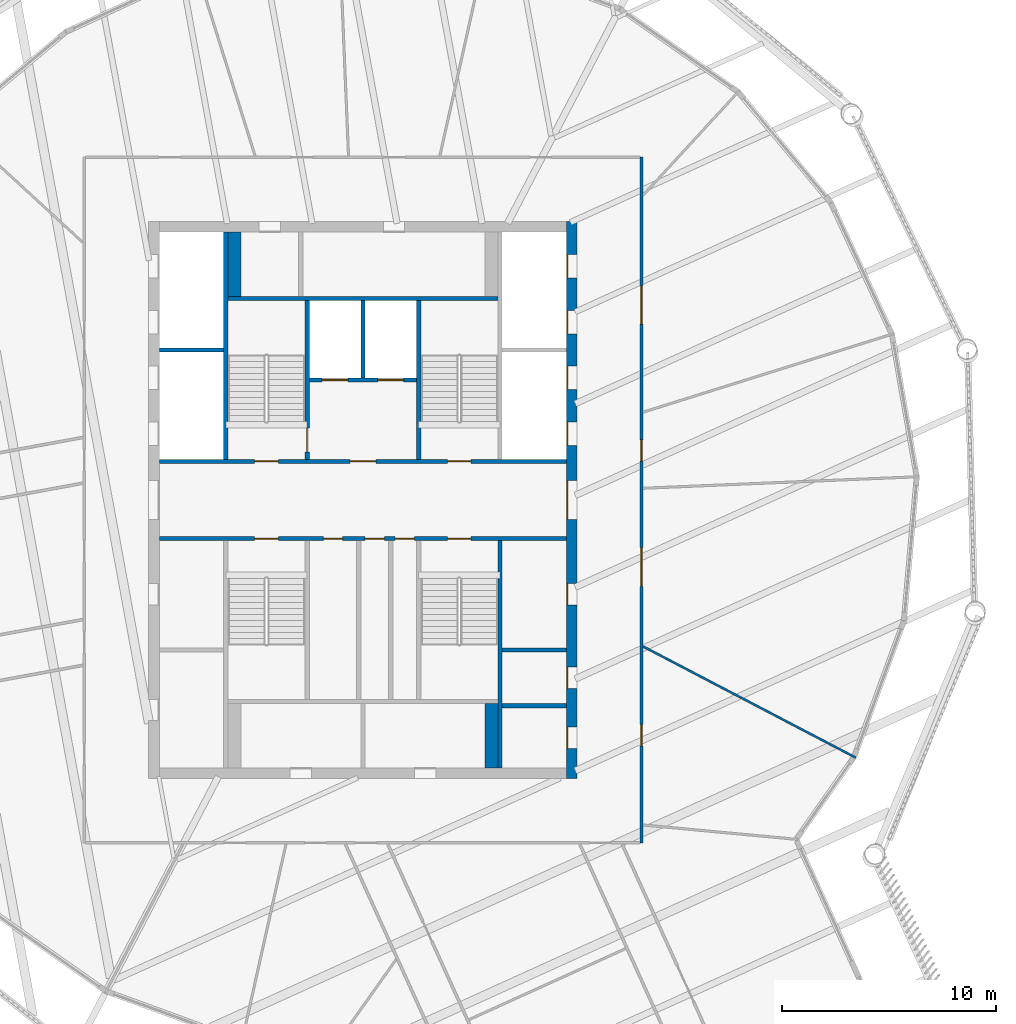
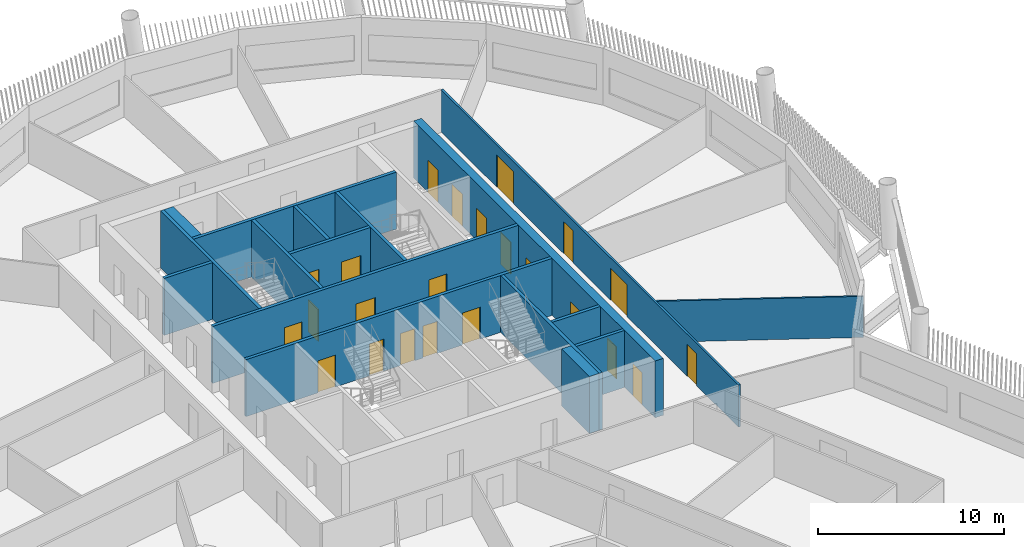
# One storey, part 5 of 15: 23 doors, 17 walls, 23 openings.
"""IFC4 building model written with IfcOpenShell, lengths in metres."""

import ifcopenshell
import ifcopenshell.guid

model = None  # the IFC model being written
_history = None  # IfcOwnerHistory: only IFC2X3 demands one
_inside = {}  # id of a spatial element -> (the spatial element, [elements in it])
_under = {}  # id of a project, library or spatial element -> (it, [spatial elements below it])
_declared = {}  # id of a project -> (the project, [libraries it declares])
_typed = {}  # id of a type object -> (the type object, [elements of that type])
_made_of = {}  # id of a material, layer set ... -> (it, [elements and type objects made of it])


def new_model(schema):
    """Start an empty IFC model of exactly this schema.

    Asked for "IFC4X3", IfcOpenShell would pick the latest addendum, in which some entities
    have other attributes; the version numbers below select the first issue.
    IFC2X3 requires an IfcOwnerHistory on every rooted entity: one is made here for all.
    """
    global model, _history
    if schema == "IFC4X3":
        model = ifcopenshell.file(schema_version=(4, 3, 0, 0))
    else:
        model = ifcopenshell.file(schema=schema)
    _inside.clear()
    _under.clear()
    _declared.clear()
    _typed.clear()
    _made_of.clear()
    _history = None
    if model.schema == "IFC2X3":
        org = make("IfcOrganization", Name="unknown")
        user = make(
            "IfcPersonAndOrganization",
            ThePerson=make("IfcPerson", FamilyName="unknown"),
            TheOrganization=org,
        )
        app = make(
            "IfcApplication",
            ApplicationDeveloper=org,
            Version="unknown",
            ApplicationFullName="unknown",
            ApplicationIdentifier="unknown",
        )
        _history = make(
            "IfcOwnerHistory",
            OwningUser=user,
            OwningApplication=app,
            ChangeAction="ADDED",
            CreationDate=0,
        )
    return model


def make(cls, **values):
    """One entity of the class cls with the attributes given. An attribute that is None is left unset."""
    return model.create_entity(
        cls, **{name: value for name, value in values.items() if value is not None}
    )


def rooted(cls, **values):
    """An entity with a GlobalId (a new one), such as an element, a storey or a relation."""
    return make(cls, GlobalId=ifcopenshell.guid.new(), OwnerHistory=_history, **values)


def si_unit(unit_type, name, prefix=None):
    """IfcSIUnit, for example si_unit("LENGTHUNIT", "METRE", prefix="MILLI")."""
    return make("IfcSIUnit", UnitType=unit_type, Prefix=prefix, Name=name)


def assignment(units):
    """IfcUnitAssignment: the units of a project."""
    return None if units is None else make("IfcUnitAssignment", Units=units)


def point(xyz):
    """IfcCartesianPoint."""
    return None if xyz is None else make("IfcCartesianPoint", Coordinates=xyz)


def direction(xyz):
    """IfcDirection."""
    return None if xyz is None else make("IfcDirection", DirectionRatios=xyz)


def frame(location, z_axis=None, x_axis=None):
    """IfcAxis2Placement3D, a coordinate frame: its origin and axes. An axis left out is left unset."""
    return make(
        "IfcAxis2Placement3D",
        Location=point(location),
        Axis=direction(z_axis),
        RefDirection=direction(x_axis),
    )


def frame_2d(location, x_axis=None):
    """IfcAxis2Placement2D, a coordinate frame in the plane: its origin and x axis."""
    return make(
        "IfcAxis2Placement2D", Location=point(location), RefDirection=direction(x_axis)
    )


def origin():
    """The frame at (0, 0, 0) with its axes left unset."""
    return frame((0.0, 0.0, 0.0))


def place(relative_to, where):
    """IfcLocalPlacement: puts the frame where relative to a parent placement (None: the world)."""
    return make(
        "IfcLocalPlacement", PlacementRelTo=relative_to, RelativePlacement=where
    )


def context(
    kind, dimensions, precision=None, world=None, true_north=None, identifier=None
):
    """IfcGeometricRepresentationContext, for example the 3D "Model" context."""
    return make(
        "IfcGeometricRepresentationContext",
        ContextIdentifier=identifier,
        ContextType=kind,
        CoordinateSpaceDimension=dimensions,
        Precision=precision,
        WorldCoordinateSystem=world,
        TrueNorth=true_north,
    )


def subcontext(parent, identifier, kind, view, scale=None):
    """IfcGeometricRepresentationSubContext, for example "Body" below "Model"."""
    return make(
        "IfcGeometricRepresentationSubContext",
        ContextIdentifier=identifier,
        ContextType=kind,
        ParentContext=parent,
        TargetScale=scale,
        TargetView=view,
    )


def project(units=None, contexts=None):
    """IfcProject with its units and contexts."""
    return rooted(
        "IfcProject",
        Name="project",
        RepresentationContexts=contexts,
        UnitsInContext=assignment(units),
    )


def spatial(cls, under=None, at=None, **own):
    """A site, building, storey or space (cls), placed at a placement, below another one or the project."""
    s = rooted(cls, ObjectPlacement=at, **own)
    if under is not None:
        _under.setdefault(under.id(), (under, []))[1].append(s)
    return s


def profile(cls, at=None, kind="AREA", **sizes):
    """A parametric profile (cls). Its sizes go by their IFC names, for example OverallWidth=200.0."""
    return make(cls, ProfileType=kind, Position=at, **sizes)


def rectangle(**sizes):
    """IfcRectangleProfileDef."""
    return profile("IfcRectangleProfileDef", **sizes)


def extrude(swept, where, along, depth):
    """IfcExtrudedAreaSolid: the profile swept, set in the frame where, extruded along a direction by depth."""
    return make(
        "IfcExtrudedAreaSolid",
        SweptArea=swept,
        Position=where,
        ExtrudedDirection=direction(along),
        Depth=depth,
    )


def shape(context_of_items, identifier, shape_type, items):
    """IfcShapeRepresentation: the items that make up one representation, for example the "Body"."""
    return make(
        "IfcShapeRepresentation",
        ContextOfItems=context_of_items,
        RepresentationIdentifier=identifier,
        RepresentationType=shape_type,
        Items=items,
    )


def material(Name=None, Category=None):
    """IfcMaterial."""
    return make("IfcMaterial", Name=Name, Category=Category)


def layer(
    of_material, thickness, ventilated=None, Name=None, Category=None, Priority=None
):
    """IfcMaterialLayer: one layer of a wall or slab, of a material (None: an air gap)."""
    return make(
        "IfcMaterialLayer",
        Material=of_material,
        LayerThickness=thickness,
        IsVentilated=ventilated,
        Name=Name,
        Category=Category,
        Priority=Priority,
    )


def layer_set(layers, Name=None):
    """IfcMaterialLayerSet."""
    return make("IfcMaterialLayerSet", MaterialLayers=layers, LayerSetName=Name)


def made_of(thing, what):
    """Note that an element or type object is made of a material, layer set ...; save() writes the relation."""
    if what is not None:
        _made_of.setdefault(what.id(), (what, []))[1].append(thing)
    return thing


def type_object(cls, material=None, **own):
    """A type object (cls), such as IfcWallType, which elements share."""
    return made_of(rooted(cls, **own), material)


def element(
    cls,
    number,
    at=None,
    inside=None,
    cuts=None,
    type_object=None,
    material=None,
    context=None,
    identifier="Body",
    shape_type=None,
    held_by="IfcProductDefinitionShape",
    body=None,
    shapes=None,
    **own,
):
    """One element of the class cls, such as IfcWall. Its Tag is "e" and its number.

    at: its placement. inside: the storey or other place that contains it. cuts: it is an
    opening in that element (IfcRelVoidsElement). A single representation is given by context,
    identifier, shape_type and body (its items); several are given by shapes. held_by: the class
    of the entity that holds the representations. save() writes the other relations.
    """
    e = rooted(cls, Tag="e%d" % number, ObjectPlacement=at, **own)
    if body is not None:
        shapes = [shape(context, identifier, shape_type, body)]
    if shapes is not None:
        e.Representation = make(held_by, Representations=shapes)
    if inside is not None:
        _inside.setdefault(inside.id(), (inside, []))[1].append(e)
    if cuts is not None:
        rooted(
            "IfcRelVoidsElement", RelatingBuildingElement=cuts, RelatedOpeningElement=e
        )
    if type_object is not None:
        _typed.setdefault(type_object.id(), (type_object, []))[1].append(e)
    return made_of(e, material)


def fill(opening, filler):
    """IfcRelFillsElement: the door or window that sits in an opening."""
    return rooted(
        "IfcRelFillsElement",
        RelatingOpeningElement=opening,
        RelatedBuildingElement=filler,
    )


def aggregate(whole, parts):
    """IfcRelAggregates: a whole, such as a stair, and the parts it consists of."""
    return rooted("IfcRelAggregates", RelatingObject=whole, RelatedObjects=parts)


def save(model, path):
    """Write the relations noted so far, then the file.

    IfcRelAggregates (storeys below a building ...), IfcRelContainedInSpatialStructure (elements
    in a storey), IfcRelDefinesByType, IfcRelAssociatesMaterial and IfcRelDeclares: one each for
    every whole, place, type object, material and project.
    """
    for whole, parts in _under.values():
        aggregate(whole, parts)
    for where, things in _inside.values():
        rooted(
            "IfcRelContainedInSpatialStructure",
            RelatedElements=things,
            RelatingStructure=where,
        )
    for kind, things in _typed.values():
        rooted("IfcRelDefinesByType", RelatedObjects=things, RelatingType=kind)
    for what, things in _made_of.values():
        rooted("IfcRelAssociatesMaterial", RelatedObjects=things, RelatingMaterial=what)
    for by, libraries in _declared.values():
        rooted("IfcRelDeclares", RelatingContext=by, RelatedDefinitions=libraries)
    model.write(path)


model = new_model("IFC4")

# Units and contexts
model_context = context("Model", 3, precision=1e-05, world=origin(), true_north=direction((0.0, 1.0)))
body_context = subcontext(model_context, "Body", "Model", "MODEL_VIEW")
ifc_project = project(units=[si_unit("LENGTHUNIT", "METRE"), si_unit("AREAUNIT", "SQUARE_METRE"), si_unit("VOLUMEUNIT", "CUBIC_METRE"), si_unit("PLANEANGLEUNIT", "RADIAN"), si_unit("MASSUNIT", "GRAM", prefix="KILO")], contexts=[model_context])

# Site, building, storey
site_placement = place(None, origin())
site = spatial("IfcSite", under=ifc_project, at=site_placement, CompositionType="ELEMENT")
building_placement = place(site_placement, origin())
building = spatial("IfcBuilding", under=site, at=building_placement, Name="Tarsis Ring Headquarters", CompositionType="ELEMENT")
storey_placement = place(building_placement, frame((0.0, 0.0, 327.5)))
storey = spatial("IfcBuildingStorey", under=building, at=storey_placement, Name="L77", CompositionType="ELEMENT", Elevation=327.5)

# Walls
ifc_material_1 = material(Name="Blockwork", Category="masonry")
ifc_layer_1 = layer(ifc_material_1, 0.199951171875)
ifc_layer_set_1 = layer_set([ifc_layer_1], Name="Core blockwork wall 200")
wall_type_1 = type_object("IfcWallType", Name="Core blockwork wall 200", PredefinedType="PARTITIONING", material=ifc_layer_set_1)
for number, where, z_axis, x_axis, name in (
    (1, (6.5, -9.60009765625, 0.0), (0.0, 0.0, 1.0), (1.0, 0.0, 0.0), "Core partition ED1"),
    (2, (6.5, -7.0, 0.0), (0.0, 0.0, 1.0), (1.0, 0.0, 0.0), "Core partition ED2"),
):
    element("IfcWall", number, at=place(storey_placement, frame(where, z_axis=z_axis, x_axis=x_axis)), inside=storey, type_object=wall_type_1, Name=name, PredefinedType="PARTITIONING", context=body_context, shape_type="SweptSolid", body=[
        extrude(rectangle(XDim=3.0, YDim=0.199951171875, at=frame_2d((1.5, 0.0))), origin(), (0.0, 0.0, 1.0), 3.739990234375),
    ])

# Wall, openings, doors
ifc_material_2 = material(Name="Concrete C50/60", Category="concrete")
ifc_layer_2 = layer(ifc_material_2, 0.5)
ifc_layer_set_2 = layer_set([ifc_layer_2], Name="Core wall 500 C50/60")
wall_type_2 = type_object("IfcWallType", Name="Core wall 500 C50/60", PredefinedType="SHEAR", material=ifc_layer_set_2)
wall_1_placement = place(storey_placement, frame((9.75, -13.0, 0.0), z_axis=(0.0, 0.0, 1.0), x_axis=(0.0, 1.0, 0.0)))
wall_1 = element("IfcWall", 3, at=wall_1_placement, inside=storey, type_object=wall_type_2, Name="Core wall OE", PredefinedType="SHEAR", context=body_context, shape_type="SweptSolid", body=[
    extrude(rectangle(XDim=26.0, YDim=0.5, at=frame_2d((13.0, 0.0))), origin(), (0.0, 0.0, 1.0), 3.739990234375),
])
opening_1_placement = place(wall_1_placement, frame((1.39990234375, 0.0, 0.0)))
opening_1 = element("IfcOpeningElement", 4, at=opening_1_placement, cuts=wall_1, Name="Opening L77-C08", PredefinedType="OPENING", context=body_context, shape_type="SweptSolid", body=[
    extrude(rectangle(XDim=1.0, YDim=2.10009765625, at=frame_2d((0.5, 1.050048828125))), frame((0.0, 0.260009765625, 0.0), z_axis=(0.0, -1.0, 0.0), x_axis=(1.0, 0.0, 0.0)), (0.0, 0.0, 1.0), 0.52001953125),
])
opening_2_placement = place(wall_1_placement, frame((4.199951171875, 0.0, 0.0)))
opening_2 = element("IfcOpeningElement", 5, at=opening_2_placement, cuts=wall_1, Name="Opening L77-C09", PredefinedType="OPENING", context=body_context, shape_type="SweptSolid", body=[
    extrude(rectangle(XDim=1.0, YDim=2.10009765625, at=frame_2d((0.5, 1.050048828125))), frame((0.0, 0.260009765625, 0.0), z_axis=(0.0, -1.0, 0.0), x_axis=(1.0, 0.0, 0.0)), (0.0, 0.0, 1.0), 0.52001953125),
])
opening_3_placement = place(wall_1_placement, frame((8.10009765625, 0.0, 0.0)))
opening_3 = element("IfcOpeningElement", 6, at=opening_3_placement, cuts=wall_1, Name="Opening L77-C10", PredefinedType="OPENING", context=body_context, shape_type="SweptSolid", body=[
    extrude(rectangle(XDim=1.0, YDim=2.10009765625, at=frame_2d((0.5, 1.050048828125))), frame((0.0, 0.260009765625, 0.0), z_axis=(0.0, -1.0, 0.0), x_axis=(1.0, 0.0, 0.0)), (0.0, 0.0, 1.0), 0.52001953125),
])
opening_4_placement = place(wall_1_placement, frame((12.10009765625, 0.0, 0.0)))
opening_4 = element("IfcOpeningElement", 7, at=opening_4_placement, cuts=wall_1, Name="Opening L77-C11", PredefinedType="OPENING", context=body_context, shape_type="SweptSolid", body=[
    extrude(rectangle(XDim=1.800048828125, YDim=2.10009765625, at=frame_2d((0.89990234375, 1.050048828125))), frame((0.0, 0.260009765625, 0.0), z_axis=(0.0, -1.0, 0.0), x_axis=(1.0, 0.0, 0.0)), (0.0, 0.0, 1.0), 0.52001953125),
])
opening_5_placement = place(wall_1_placement, frame((15.550048828125, 0.0, 0.0)))
opening_5 = element("IfcOpeningElement", 8, at=opening_5_placement, cuts=wall_1, Name="Opening LD-HR5", PredefinedType="OPENING", context=body_context, shape_type="SweptSolid", body=[
    extrude(rectangle(XDim=1.10009765625, YDim=2.10009765625, at=frame_2d((0.550048828125, 1.050048828125))), frame((0.0, 0.260009765625, 0.0), z_axis=(0.0, -1.0, 0.0), x_axis=(1.0, 0.0, 0.0)), (0.0, 0.0, 1.0), 0.52001953125),
])
opening_6_placement = place(wall_1_placement, frame((18.14990234375, 0.0, 0.0)))
opening_6 = element("IfcOpeningElement", 9, at=opening_6_placement, cuts=wall_1, Name="Opening LD-HR6", PredefinedType="OPENING", context=body_context, shape_type="SweptSolid", body=[
    extrude(rectangle(XDim=1.10009765625, YDim=2.10009765625, at=frame_2d((0.550048828125, 1.050048828125))), frame((0.0, 0.260009765625, 0.0), z_axis=(0.0, -1.0, 0.0), x_axis=(1.0, 0.0, 0.0)), (0.0, 0.0, 1.0), 0.52001953125),
])
opening_7_placement = place(wall_1_placement, frame((20.75, 0.0, 0.0)))
opening_7 = element("IfcOpeningElement", 10, at=opening_7_placement, cuts=wall_1, Name="Opening LD-HR7", PredefinedType="OPENING", context=body_context, shape_type="SweptSolid", body=[
    extrude(rectangle(XDim=1.10009765625, YDim=2.10009765625, at=frame_2d((0.550048828125, 1.050048828125))), frame((0.0, 0.260009765625, 0.0), z_axis=(0.0, -1.0, 0.0), x_axis=(1.0, 0.0, 0.0)), (0.0, 0.0, 1.0), 0.52001953125),
])
opening_8_placement = place(wall_1_placement, frame((23.35009765625, 0.0, 0.0)))
opening_8 = element("IfcOpeningElement", 11, at=opening_8_placement, cuts=wall_1, Name="Opening LD-HR8", PredefinedType="OPENING", context=body_context, shape_type="SweptSolid", body=[
    extrude(rectangle(XDim=1.10009765625, YDim=2.10009765625, at=frame_2d((0.550048828125, 1.050048828125))), frame((0.0, 0.260009765625, 0.0), z_axis=(0.0, -1.0, 0.0), x_axis=(1.0, 0.0, 0.0)), (0.0, 0.0, 1.0), 0.52001953125),
])
ifc_material_3 = material(Name="Steel S355", Category="steel")
door_type_1 = type_object("IfcDoorType", Name="Core entry door 1800x2100", OperationType="DOUBLE_DOOR_SINGLE_SWING", PredefinedType="DOOR", material=ifc_material_3)
door_1_placement = place(opening_4_placement, origin())
door_1 = element("IfcDoor", 12, at=door_1_placement, inside=storey, type_object=door_type_1, Name="Core entry door L77", OperationType="DOUBLE_DOOR_SINGLE_SWING", OverallHeight=2.10009765625, OverallWidth=1.800048828125, PredefinedType="DOOR", context=body_context, shape_type="SweptSolid", body=[
    extrude(rectangle(XDim=1.800048828125, YDim=2.10009765625, at=frame_2d((0.89990234375, 1.050048828125))), frame((0.0, 0.25, 0.0), z_axis=(0.0, -1.0, 0.0), x_axis=(1.0, 0.0, 0.0)), (0.0, 0.0, 1.0), 0.050048828125),
])
fill(opening_4, door_1)
door_type_2 = type_object("IfcDoorType", Name="Core room door 1000x2100", OperationType="SINGLE_SWING_LEFT", PredefinedType="DOOR", material=ifc_material_3)
door_2_placement = place(opening_1_placement, origin())
door_2 = element("IfcDoor", 13, at=door_2_placement, inside=storey, type_object=door_type_2, Name="Core room door L77", OperationType="SINGLE_SWING_LEFT", OverallHeight=2.10009765625, OverallWidth=1.0, PredefinedType="DOOR", context=body_context, shape_type="SweptSolid", body=[
    extrude(rectangle(XDim=1.0, YDim=2.10009765625, at=frame_2d((0.5, 1.050048828125))), frame((0.0, 0.25, 0.0), z_axis=(0.0, -1.0, 0.0), x_axis=(1.0, 0.0, 0.0)), (0.0, 0.0, 1.0), 0.050048828125),
])
fill(opening_1, door_2)
door_3_placement = place(opening_2_placement, origin())
door_3 = element("IfcDoor", 14, at=door_3_placement, inside=storey, type_object=door_type_2, Name="Core room door L77", OperationType="SINGLE_SWING_LEFT", OverallHeight=2.10009765625, OverallWidth=1.0, PredefinedType="DOOR", context=body_context, shape_type="SweptSolid", body=[
    extrude(rectangle(XDim=1.0, YDim=2.10009765625, at=frame_2d((0.5, 1.050048828125))), frame((0.0, 0.25, 0.0), z_axis=(0.0, -1.0, 0.0), x_axis=(1.0, 0.0, 0.0)), (0.0, 0.0, 1.0), 0.050048828125),
])
fill(opening_2, door_3)
door_4_placement = place(opening_3_placement, origin())
door_4 = element("IfcDoor", 15, at=door_4_placement, inside=storey, type_object=door_type_2, Name="Core room door L77", OperationType="SINGLE_SWING_LEFT", OverallHeight=2.10009765625, OverallWidth=1.0, PredefinedType="DOOR", context=body_context, shape_type="SweptSolid", body=[
    extrude(rectangle(XDim=1.0, YDim=2.10009765625, at=frame_2d((0.5, 1.050048828125))), frame((0.0, 0.25, 0.0), z_axis=(0.0, -1.0, 0.0), x_axis=(1.0, 0.0, 0.0)), (0.0, 0.0, 1.0), 0.050048828125),
])
fill(opening_3, door_4)
door_type_3 = type_object("IfcDoorType", Name="Landing door 1100x2100", OperationType="SLIDING_TO_LEFT", PredefinedType="DOOR", material=ifc_material_3)
door_5_placement = place(opening_5_placement, origin())
door_5 = element("IfcDoor", 16, at=door_5_placement, inside=storey, type_object=door_type_3, Name="Landing door HR5 L77", OperationType="SLIDING_TO_LEFT", OverallHeight=2.10009765625, OverallWidth=1.10009765625, PredefinedType="DOOR", context=body_context, shape_type="SweptSolid", body=[
    extrude(rectangle(XDim=1.10009765625, YDim=2.10009765625, at=frame_2d((0.550048828125, 1.050048828125))), frame((0.0, 0.25, 0.0), z_axis=(0.0, -1.0, 0.0), x_axis=(1.0, 0.0, 0.0)), (0.0, 0.0, 1.0), 0.050048828125),
])
fill(opening_5, door_5)
door_6_placement = place(opening_6_placement, origin())
door_6 = element("IfcDoor", 17, at=door_6_placement, inside=storey, type_object=door_type_3, Name="Landing door HR6 L77", OperationType="SLIDING_TO_LEFT", OverallHeight=2.10009765625, OverallWidth=1.10009765625, PredefinedType="DOOR", context=body_context, shape_type="SweptSolid", body=[
    extrude(rectangle(XDim=1.10009765625, YDim=2.10009765625, at=frame_2d((0.550048828125, 1.050048828125))), frame((0.0, 0.25, 0.0), z_axis=(0.0, -1.0, 0.0), x_axis=(1.0, 0.0, 0.0)), (0.0, 0.0, 1.0), 0.050048828125),
])
fill(opening_6, door_6)
door_7_placement = place(opening_7_placement, origin())
door_7 = element("IfcDoor", 18, at=door_7_placement, inside=storey, type_object=door_type_3, Name="Landing door HR7 L77", OperationType="SLIDING_TO_LEFT", OverallHeight=2.10009765625, OverallWidth=1.10009765625, PredefinedType="DOOR", context=body_context, shape_type="SweptSolid", body=[
    extrude(rectangle(XDim=1.10009765625, YDim=2.10009765625, at=frame_2d((0.550048828125, 1.050048828125))), frame((0.0, 0.25, 0.0), z_axis=(0.0, -1.0, 0.0), x_axis=(1.0, 0.0, 0.0)), (0.0, 0.0, 1.0), 0.050048828125),
])
fill(opening_7, door_7)
door_8_placement = place(opening_8_placement, origin())
door_8 = element("IfcDoor", 19, at=door_8_placement, inside=storey, type_object=door_type_3, Name="Landing door HR8 L77", OperationType="SLIDING_TO_LEFT", OverallHeight=2.10009765625, OverallWidth=1.10009765625, PredefinedType="DOOR", context=body_context, shape_type="SweptSolid", body=[
    extrude(rectangle(XDim=1.10009765625, YDim=2.10009765625, at=frame_2d((0.550048828125, 1.050048828125))), frame((0.0, 0.25, 0.0), z_axis=(0.0, -1.0, 0.0), x_axis=(1.0, 0.0, 0.0)), (0.0, 0.0, 1.0), 0.050048828125),
])
fill(opening_8, door_8)

# Wall
ifc_material_4 = material(Name="Gypsum board on steel studs", Category="steel")
ifc_layer_3 = layer(ifc_material_4, 0.10009765625)
ifc_layer_set_3 = layer_set([ifc_layer_3], Name="FL partition 100 unrated")
wall_type_3 = type_object("IfcWallType", Name="FL partition 100 unrated", PredefinedType="PARTITIONING", material=ifc_layer_set_3)
wall_2_placement = place(storey_placement, frame((13.079833984375, -6.837890625, 0.0), z_axis=(0.0, 0.0, 1.0), x_axis=(0.886203250473, -0.463296663976, 0.0)))
element("IfcWall", 20, at=wall_2_placement, inside=storey, type_object=wall_type_3, Name="Partition PW3", PredefinedType="PARTITIONING", context=body_context, shape_type="SweptSolid", body=[
    extrude(rectangle(XDim=11.1884765625, YDim=0.10009765625, at=frame_2d((5.59423828125, 0.0))), origin(), (0.0, 0.0, 1.0), 2.699951171875),
])

# Wall, openings, doors
ifc_layer_4 = layer(ifc_material_4, 0.125)
ifc_layer_set_4 = layer_set([ifc_layer_4], Name="FL partition 125 EI 60 H2770")
wall_type_4 = type_object("IfcWallType", Name="FL partition 125 EI 60 H2770", PredefinedType="PARTITIONING", material=ifc_layer_set_4)
wall_3_placement = place(storey_placement, frame((13.0, -16.0, 0.0), z_axis=(0.0, 0.0, 1.0), x_axis=(0.0, 1.0, 0.0)))
wall_3 = element("IfcWall", 21, at=wall_3_placement, inside=storey, type_object=wall_type_4, Name="Partition PW1", PredefinedType="PARTITIONING", context=body_context, shape_type="SweptSolid", body=[
    extrude(rectangle(XDim=32.0, YDim=0.125, at=frame_2d((16.0, 0.0))), origin(), (0.0, 0.0, 1.0), 2.77001953125),
])
opening_9_placement = place(wall_3_placement, frame((24.205810546875, 0.0, 0.0)))
opening_9 = element("IfcOpeningElement", 22, at=opening_9_placement, cuts=wall_3, Name="Opening D77.08", PredefinedType="OPENING", context=body_context, shape_type="SweptSolid", body=[
    extrude(rectangle(XDim=1.800048828125, YDim=2.10009765625, at=frame_2d((0.89990234375, 1.050048828125))), frame((0.0, 0.072509765625, 0.0), z_axis=(0.0, -1.0, 0.0), x_axis=(1.0, 0.0, 0.0)), (0.0, 0.0, 1.0), 0.14501953125),
])
opening_10_placement = place(wall_3_placement, frame((17.809326171875, 0.0, 0.0)))
opening_10 = element("IfcOpeningElement", 23, at=opening_10_placement, cuts=wall_3, Name="Opening D77.09", PredefinedType="OPENING", context=body_context, shape_type="SweptSolid", body=[
    extrude(rectangle(XDim=1.0, YDim=2.10009765625, at=frame_2d((0.5, 1.050048828125))), frame((0.0, 0.072509765625, 0.0), z_axis=(0.0, -1.0, 0.0), x_axis=(1.0, 0.0, 0.0)), (0.0, 0.0, 1.0), 0.14501953125),
])
opening_11_placement = place(wall_3_placement, frame((11.974365234375, 0.0, 0.0)))
opening_11 = element("IfcOpeningElement", 24, at=opening_11_placement, cuts=wall_3, Name="Opening D77.10", PredefinedType="OPENING", context=body_context, shape_type="SweptSolid", body=[
    extrude(rectangle(XDim=1.800048828125, YDim=2.10009765625, at=frame_2d((0.89990234375, 1.050048828125))), frame((0.0, 0.072509765625, 0.0), z_axis=(0.0, -1.0, 0.0), x_axis=(1.0, 0.0, 0.0)), (0.0, 0.0, 1.0), 0.14501953125),
])
opening_12_placement = place(wall_3_placement, frame((4.521484375, 0.0, 0.0)))
opening_12 = element("IfcOpeningElement", 25, at=opening_12_placement, cuts=wall_3, Name="Opening D77.11", PredefinedType="OPENING", context=body_context, shape_type="SweptSolid", body=[
    extrude(rectangle(XDim=1.0, YDim=2.10009765625, at=frame_2d((0.5, 1.050048828125))), frame((0.0, 0.072509765625, 0.0), z_axis=(0.0, -1.0, 0.0), x_axis=(1.0, 0.0, 0.0)), (0.0, 0.0, 1.0), 0.14501953125),
])
ifc_material_5 = material(Name="Fire-rated timber door leaf in steel frame", Category="steel")
door_type_4 = type_object("IfcDoorType", Name="FL door FD60-1000", OperationType="NOTDEFINED", PredefinedType="DOOR", material=ifc_material_5)
door_9_placement = place(opening_10_placement, origin())
door_9 = element("IfcDoor", 26, at=door_9_placement, inside=storey, type_object=door_type_4, Name="Door D77.09", OperationType="SINGLE_SWING_RIGHT", OverallHeight=2.10009765625, OverallWidth=1.0, PredefinedType="DOOR", context=body_context, shape_type="SweptSolid", body=[
    extrude(rectangle(XDim=1.0, YDim=2.10009765625, at=frame_2d((0.5, 1.050048828125))), frame((0.0, 0.02490234375, 0.0), z_axis=(0.0, -1.0, 0.0), x_axis=(1.0, 0.0, 0.0)), (0.0, 0.0, 1.0), 0.050048828125),
])
fill(opening_10, door_9)
door_10_placement = place(opening_12_placement, origin())
door_10 = element("IfcDoor", 27, at=door_10_placement, inside=storey, type_object=door_type_4, Name="Door D77.11", OperationType="SINGLE_SWING_RIGHT", OverallHeight=2.10009765625, OverallWidth=1.0, PredefinedType="DOOR", context=body_context, shape_type="SweptSolid", body=[
    extrude(rectangle(XDim=1.0, YDim=2.10009765625, at=frame_2d((0.5, 1.050048828125))), frame((0.0, 0.02490234375, 0.0), z_axis=(0.0, -1.0, 0.0), x_axis=(1.0, 0.0, 0.0)), (0.0, 0.0, 1.0), 0.050048828125),
])
fill(opening_12, door_10)
door_type_5 = type_object("IfcDoorType", Name="FL door FD60-1800", OperationType="DOUBLE_DOOR_SINGLE_SWING", PredefinedType="DOOR", material=ifc_material_5)
door_11_placement = place(opening_9_placement, origin())
door_11 = element("IfcDoor", 28, at=door_11_placement, inside=storey, type_object=door_type_5, Name="Door D77.08", OperationType="DOUBLE_DOOR_SINGLE_SWING", OverallHeight=2.10009765625, OverallWidth=1.800048828125, PredefinedType="DOOR", context=body_context, shape_type="SweptSolid", body=[
    extrude(rectangle(XDim=1.800048828125, YDim=2.10009765625, at=frame_2d((0.89990234375, 1.050048828125))), frame((0.0, 0.02490234375, 0.0), z_axis=(0.0, -1.0, 0.0), x_axis=(1.0, 0.0, 0.0)), (0.0, 0.0, 1.0), 0.050048828125),
])
fill(opening_9, door_11)
door_12_placement = place(opening_11_placement, origin())
door_12 = element("IfcDoor", 29, at=door_12_placement, inside=storey, type_object=door_type_5, Name="Door D77.10", OperationType="DOUBLE_DOOR_SINGLE_SWING", OverallHeight=2.10009765625, OverallWidth=1.800048828125, PredefinedType="DOOR", context=body_context, shape_type="SweptSolid", body=[
    extrude(rectangle(XDim=1.800048828125, YDim=2.10009765625, at=frame_2d((0.89990234375, 1.050048828125))), frame((0.0, 0.02490234375, 0.0), z_axis=(0.0, -1.0, 0.0), x_axis=(1.0, 0.0, 0.0)), (0.0, 0.0, 1.0), 0.050048828125),
])
fill(opening_11, door_12)

# Walls
ifc_material_6 = material(Name="Concrete C32/40", Category="concrete")
ifc_layer_5 = layer(ifc_material_6, 0.60009765625)
ifc_layer_set_5 = layer_set([ifc_layer_5], Name="Shaft end wall 600 C32/40")
wall_type_5 = type_object("IfcWallType", Name="Shaft end wall 600 C32/40", PredefinedType="SOLIDWALL", material=ifc_layer_set_5)
for number, where, z_axis, x_axis, name in (
    (30, (-6.0, 9.5, 0.0), (0.0, 0.0, 1.0), (0.0, 1.0, 0.0), "Core shaft wall NNE1"),
    (31, (6.0, -12.5, 0.0), (0.0, 0.0, 1.0), (0.0, 1.0, 0.0), "Core shaft wall SNE2"),
):
    element("IfcWall", number, at=place(storey_placement, frame(where, z_axis=z_axis, x_axis=x_axis)), inside=storey, type_object=wall_type_5, Name=name, PredefinedType="SOLIDWALL", context=body_context, shape_type="SweptSolid", body=[
        extrude(rectangle(XDim=3.0, YDim=0.60009765625, at=frame_2d((1.5, 0.0))), origin(), (0.0, 0.0, 1.0), 3.739990234375),
    ])

# Wall, openings, doors
ifc_layer_6 = layer(ifc_material_6, 0.199951171875)
ifc_layer_set_6 = layer_set([ifc_layer_6], Name="Shaft wall 200 C32/40")
wall_type_6 = type_object("IfcWallType", Name="Shaft wall 200 C32/40", PredefinedType="SOLIDWALL", material=ifc_layer_set_6)
wall_4_placement = place(storey_placement, frame((-9.5, 1.800048828125, 0.0), z_axis=(0.0, 0.0, 1.0), x_axis=(1.0, 0.0, 0.0)))
wall_4 = element("IfcWall", 32, at=wall_4_placement, inside=storey, type_object=wall_type_6, Name="Core shaft wall CN", PredefinedType="SOLIDWALL", context=body_context, shape_type="SweptSolid", body=[
    extrude(rectangle(XDim=19.0, YDim=0.199951171875, at=frame_2d((9.5, 0.0))), origin(), (0.0, 0.0, 1.0), 3.739990234375),
])
opening_13_placement = place(wall_4_placement, frame((4.449951171875, 0.0, 0.0)))
opening_13 = element("IfcOpeningElement", 33, at=opening_13_placement, cuts=wall_4, Name="Opening L77-C20", PredefinedType="OPENING", context=body_context, shape_type="SweptSolid", body=[
    extrude(rectangle(XDim=1.10009765625, YDim=2.10009765625, at=frame_2d((0.550048828125, 1.050048828125))), frame((0.0, 0.10986328125, 0.0), z_axis=(0.0, -1.0, 0.0), x_axis=(1.0, 0.0, 0.0)), (0.0, 0.0, 1.0), 0.219970703125),
])
opening_14_placement = place(wall_4_placement, frame((8.89990234375, 0.0, 0.0)))
opening_14 = element("IfcOpeningElement", 34, at=opening_14_placement, cuts=wall_4, Name="Opening L77-C21", PredefinedType="OPENING", context=body_context, shape_type="SweptSolid", body=[
    extrude(rectangle(XDim=1.199951171875, YDim=2.10009765625, at=frame_2d((0.60009765625, 1.050048828125))), frame((0.0, 0.10986328125, 0.0), z_axis=(0.0, -1.0, 0.0), x_axis=(1.0, 0.0, 0.0)), (0.0, 0.0, 1.0), 0.219970703125),
])
opening_15_placement = place(wall_4_placement, frame((13.449951171875, 0.0, 0.0)))
opening_15 = element("IfcOpeningElement", 35, at=opening_15_placement, cuts=wall_4, Name="Opening L77-C22", PredefinedType="OPENING", context=body_context, shape_type="SweptSolid", body=[
    extrude(rectangle(XDim=1.10009765625, YDim=2.10009765625, at=frame_2d((0.550048828125, 1.050048828125))), frame((0.0, 0.10986328125, 0.0), z_axis=(0.0, -1.0, 0.0), x_axis=(1.0, 0.0, 0.0)), (0.0, 0.0, 1.0), 0.219970703125),
])
door_type_6 = type_object("IfcDoorType", Name="Firefighting lobby door 1200x2100", OperationType="DOUBLE_DOOR_SINGLE_SWING", PredefinedType="DOOR", material=ifc_material_3)
door_13_placement = place(opening_14_placement, origin())
door_13 = element("IfcDoor", 36, at=door_13_placement, inside=storey, type_object=door_type_6, Name="Firefighting lobby door L77", OperationType="DOUBLE_DOOR_SINGLE_SWING", OverallHeight=2.10009765625, OverallWidth=1.199951171875, PredefinedType="DOOR", context=body_context, shape_type="SweptSolid", body=[
    extrude(rectangle(XDim=1.199951171875, YDim=2.10009765625, at=frame_2d((0.60009765625, 1.050048828125))), frame((0.0, 0.02490234375, 0.0), z_axis=(0.0, -1.0, 0.0), x_axis=(1.0, 0.0, 0.0)), (0.0, 0.0, 1.0), 0.050048828125),
])
fill(opening_14, door_13)
door_type_7 = type_object("IfcDoorType", Name="Stair door 1100x2100", OperationType="SINGLE_SWING_LEFT", PredefinedType="DOOR", material=ifc_material_3)
door_14_placement = place(opening_13_placement, origin())
door_14 = element("IfcDoor", 37, at=door_14_placement, inside=storey, type_object=door_type_7, Name="Stair door L77", OperationType="SINGLE_SWING_LEFT", OverallHeight=2.10009765625, OverallWidth=1.10009765625, PredefinedType="DOOR", context=body_context, shape_type="SweptSolid", body=[
    extrude(rectangle(XDim=1.10009765625, YDim=2.10009765625, at=frame_2d((0.550048828125, 1.050048828125))), frame((0.0, 0.02490234375, 0.0), z_axis=(0.0, -1.0, 0.0), x_axis=(1.0, 0.0, 0.0)), (0.0, 0.0, 1.0), 0.050048828125),
])
fill(opening_13, door_14)
door_15_placement = place(opening_15_placement, origin())
door_15 = element("IfcDoor", 38, at=door_15_placement, inside=storey, type_object=door_type_7, Name="Stair door L77", OperationType="SINGLE_SWING_LEFT", OverallHeight=2.10009765625, OverallWidth=1.10009765625, PredefinedType="DOOR", context=body_context, shape_type="SweptSolid", body=[
    extrude(rectangle(XDim=1.10009765625, YDim=2.10009765625, at=frame_2d((0.550048828125, 1.050048828125))), frame((0.0, 0.02490234375, 0.0), z_axis=(0.0, -1.0, 0.0), x_axis=(1.0, 0.0, 0.0)), (0.0, 0.0, 1.0), 0.050048828125),
])
fill(opening_15, door_15)

wall_5_placement = place(storey_placement, frame((-9.5, -1.800048828125, 0.0), z_axis=(0.0, 0.0, 1.0), x_axis=(1.0, 0.0, 0.0)))
wall_5 = element("IfcWall", 39, at=wall_5_placement, inside=storey, type_object=wall_type_6, Name="Core shaft wall CS", PredefinedType="SOLIDWALL", context=body_context, shape_type="SweptSolid", body=[
    extrude(rectangle(XDim=19.0, YDim=0.199951171875, at=frame_2d((9.5, 0.0))), origin(), (0.0, 0.0, 1.0), 3.739990234375),
])
opening_16_placement = place(wall_5_placement, frame((4.449951171875, 0.0, 0.0)))
opening_16 = element("IfcOpeningElement", 40, at=opening_16_placement, cuts=wall_5, Name="Opening L77-C23", PredefinedType="OPENING", context=body_context, shape_type="SweptSolid", body=[
    extrude(rectangle(XDim=1.10009765625, YDim=2.10009765625, at=frame_2d((0.550048828125, 1.050048828125))), frame((0.0, 0.10986328125, 0.0), z_axis=(0.0, -1.0, 0.0), x_axis=(1.0, 0.0, 0.0)), (0.0, 0.0, 1.0), 0.219970703125),
])
opening_17_placement = place(wall_5_placement, frame((7.64990234375, 0.0, 0.0)))
opening_17 = element("IfcOpeningElement", 41, at=opening_17_placement, cuts=wall_5, Name="Opening L77-C24", PredefinedType="OPENING", context=body_context, shape_type="SweptSolid", body=[
    extrude(rectangle(XDim=0.89990234375, YDim=2.10009765625, at=frame_2d((0.449951171875, 1.050048828125))), frame((0.0, 0.10986328125, 0.0), z_axis=(0.0, -1.0, 0.0), x_axis=(1.0, 0.0, 0.0)), (0.0, 0.0, 1.0), 0.219970703125),
])
opening_18_placement = place(wall_5_placement, frame((9.60009765625, 0.0, 0.0)))
opening_18 = element("IfcOpeningElement", 42, at=opening_18_placement, cuts=wall_5, Name="Opening L77-C25", PredefinedType="OPENING", context=body_context, shape_type="SweptSolid", body=[
    extrude(rectangle(XDim=0.89990234375, YDim=2.10009765625, at=frame_2d((0.449951171875, 1.050048828125))), frame((0.0, 0.10986328125, 0.0), z_axis=(0.0, -1.0, 0.0), x_axis=(1.0, 0.0, 0.0)), (0.0, 0.0, 1.0), 0.219970703125),
])
opening_19_placement = place(wall_5_placement, frame((11.0, 0.0, 0.0)))
opening_19 = element("IfcOpeningElement", 43, at=opening_19_placement, cuts=wall_5, Name="Opening L77-C26", PredefinedType="OPENING", context=body_context, shape_type="SweptSolid", body=[
    extrude(rectangle(XDim=0.89990234375, YDim=2.10009765625, at=frame_2d((0.449951171875, 1.050048828125))), frame((0.0, 0.10986328125, 0.0), z_axis=(0.0, -1.0, 0.0), x_axis=(1.0, 0.0, 0.0)), (0.0, 0.0, 1.0), 0.219970703125),
])
opening_20_placement = place(wall_5_placement, frame((13.449951171875, 0.0, 0.0)))
opening_20 = element("IfcOpeningElement", 44, at=opening_20_placement, cuts=wall_5, Name="Opening L77-C27", PredefinedType="OPENING", context=body_context, shape_type="SweptSolid", body=[
    extrude(rectangle(XDim=1.10009765625, YDim=2.10009765625, at=frame_2d((0.550048828125, 1.050048828125))), frame((0.0, 0.10986328125, 0.0), z_axis=(0.0, -1.0, 0.0), x_axis=(1.0, 0.0, 0.0)), (0.0, 0.0, 1.0), 0.219970703125),
])
door_16_placement = place(opening_16_placement, origin())
door_16 = element("IfcDoor", 45, at=door_16_placement, inside=storey, type_object=door_type_7, Name="Stair door L77", OperationType="SINGLE_SWING_LEFT", OverallHeight=2.10009765625, OverallWidth=1.10009765625, PredefinedType="DOOR", context=body_context, shape_type="SweptSolid", body=[
    extrude(rectangle(XDim=1.10009765625, YDim=2.10009765625, at=frame_2d((0.550048828125, 1.050048828125))), frame((0.0, 0.02490234375, 0.0), z_axis=(0.0, -1.0, 0.0), x_axis=(1.0, 0.0, 0.0)), (0.0, 0.0, 1.0), 0.050048828125),
])
fill(opening_16, door_16)
door_17_placement = place(opening_20_placement, origin())
door_17 = element("IfcDoor", 46, at=door_17_placement, inside=storey, type_object=door_type_7, Name="Stair door L77", OperationType="SINGLE_SWING_LEFT", OverallHeight=2.10009765625, OverallWidth=1.10009765625, PredefinedType="DOOR", context=body_context, shape_type="SweptSolid", body=[
    extrude(rectangle(XDim=1.10009765625, YDim=2.10009765625, at=frame_2d((0.550048828125, 1.050048828125))), frame((0.0, 0.02490234375, 0.0), z_axis=(0.0, -1.0, 0.0), x_axis=(1.0, 0.0, 0.0)), (0.0, 0.0, 1.0), 0.050048828125),
])
fill(opening_20, door_17)
door_type_8 = type_object("IfcDoorType", Name="WC door 900x2100", OperationType="SINGLE_SWING_LEFT", PredefinedType="DOOR", material=ifc_material_3)
door_18_placement = place(opening_17_placement, origin())
door_18 = element("IfcDoor", 47, at=door_18_placement, inside=storey, type_object=door_type_8, Name="WC door L77", OperationType="SINGLE_SWING_LEFT", OverallHeight=2.10009765625, OverallWidth=0.89990234375, PredefinedType="DOOR", context=body_context, shape_type="SweptSolid", body=[
    extrude(rectangle(XDim=0.89990234375, YDim=2.10009765625, at=frame_2d((0.449951171875, 1.050048828125))), frame((0.0, 0.02490234375, 0.0), z_axis=(0.0, -1.0, 0.0), x_axis=(1.0, 0.0, 0.0)), (0.0, 0.0, 1.0), 0.050048828125),
])
fill(opening_17, door_18)
door_19_placement = place(opening_18_placement, origin())
door_19 = element("IfcDoor", 48, at=door_19_placement, inside=storey, type_object=door_type_8, Name="WC door L77", OperationType="SINGLE_SWING_LEFT", OverallHeight=2.10009765625, OverallWidth=0.89990234375, PredefinedType="DOOR", context=body_context, shape_type="SweptSolid", body=[
    extrude(rectangle(XDim=0.89990234375, YDim=2.10009765625, at=frame_2d((0.449951171875, 1.050048828125))), frame((0.0, 0.02490234375, 0.0), z_axis=(0.0, -1.0, 0.0), x_axis=(1.0, 0.0, 0.0)), (0.0, 0.0, 1.0), 0.050048828125),
])
fill(opening_18, door_19)
door_20_placement = place(opening_19_placement, origin())
door_20 = element("IfcDoor", 49, at=door_20_placement, inside=storey, type_object=door_type_8, Name="WC door L77", OperationType="SINGLE_SWING_LEFT", OverallHeight=2.10009765625, OverallWidth=0.89990234375, PredefinedType="DOOR", context=body_context, shape_type="SweptSolid", body=[
    extrude(rectangle(XDim=0.89990234375, YDim=2.10009765625, at=frame_2d((0.449951171875, 1.050048828125))), frame((0.0, 0.02490234375, 0.0), z_axis=(0.0, -1.0, 0.0), x_axis=(1.0, 0.0, 0.0)), (0.0, 0.0, 1.0), 0.050048828125),
])
fill(opening_19, door_20)

# Walls
for number, where, z_axis, x_axis, name in (
    (50, (-6.39990234375, 1.89990234375, 0.0), (0.0, 0.0, 1.0), (0.0, 1.0, 0.0), "Core shaft wall WB2"),
    (51, (6.39990234375, -12.5, 0.0), (0.0, 0.0, 1.0), (0.0, 1.0, 0.0), "Core shaft wall EB1"),
):
    element("IfcWall", number, at=place(storey_placement, frame(where, z_axis=z_axis, x_axis=x_axis)), inside=storey, type_object=wall_type_6, Name=name, PredefinedType="SOLIDWALL", context=body_context, shape_type="SweptSolid", body=[
        extrude(rectangle(XDim=10.60009765625, YDim=0.199951171875, at=frame_2d((5.300048828125, 0.0))), origin(), (0.0, 0.0, 1.0), 3.739990234375),
    ])
wall_6_placement = place(storey_placement, frame((-6.300048828125, 9.39990234375, 0.0), z_axis=(0.0, 0.0, 1.0), x_axis=(1.0, 0.0, 0.0)))
element("IfcWall", 52, at=wall_6_placement, inside=storey, type_object=wall_type_6, Name="Core shaft wall NB", PredefinedType="SOLIDWALL", context=body_context, shape_type="SweptSolid", body=[
    extrude(rectangle(XDim=12.60009765625, YDim=0.199951171875, at=frame_2d((6.300048828125, 0.0))), origin(), (0.0, 0.0, 1.0), 3.739990234375),
])

# Wall, opening, door
wall_7_placement = place(storey_placement, frame((-2.60009765625, 1.89990234375, 0.0), z_axis=(0.0, 0.0, 1.0), x_axis=(0.0, 1.0, 0.0)))
wall_7 = element("IfcWall", 53, at=wall_7_placement, inside=storey, type_object=wall_type_6, Name="Core shaft wall SW1", PredefinedType="SOLIDWALL", context=body_context, shape_type="SweptSolid", body=[
    extrude(rectangle(XDim=7.400146484375, YDim=0.199951171875, at=frame_2d((3.7001953125, 0.0))), origin(), (0.0, 0.0, 1.0), 3.739990234375),
])
opening_21_placement = place(wall_7_placement, frame((0.35009765625, 0.0, 0.0)))
opening_21 = element("IfcOpeningElement", 54, at=opening_21_placement, cuts=wall_7, Name="Opening L77-C28", PredefinedType="OPENING", context=body_context, shape_type="SweptSolid", body=[
    extrude(rectangle(XDim=1.10009765625, YDim=2.10009765625, at=frame_2d((0.550048828125, 1.050048828125))), frame((0.0, 0.10986328125, 0.0), z_axis=(0.0, -1.0, 0.0), x_axis=(1.0, 0.0, 0.0)), (0.0, 0.0, 1.0), 0.219970703125),
])
door_21_placement = place(opening_21_placement, origin())
door_21 = element("IfcDoor", 55, at=door_21_placement, inside=storey, type_object=door_type_7, Name="Stair door L77", OperationType="SINGLE_SWING_LEFT", OverallHeight=2.10009765625, OverallWidth=1.10009765625, PredefinedType="DOOR", context=body_context, shape_type="SweptSolid", body=[
    extrude(rectangle(XDim=1.10009765625, YDim=2.10009765625, at=frame_2d((0.550048828125, 1.050048828125))), frame((0.0, 0.02490234375, 0.0), z_axis=(0.0, -1.0, 0.0), x_axis=(1.0, 0.0, 0.0)), (0.0, 0.0, 1.0), 0.050048828125),
])
fill(opening_21, door_21)

# Wall
wall_8_placement = place(storey_placement, frame((2.60009765625, 1.89990234375, 0.0), z_axis=(0.0, 0.0, 1.0), x_axis=(0.0, 1.0, 0.0)))
element("IfcWall", 56, at=wall_8_placement, inside=storey, type_object=wall_type_6, Name="Core shaft wall SW2", PredefinedType="SOLIDWALL", context=body_context, shape_type="SweptSolid", body=[
    extrude(rectangle(XDim=7.400146484375, YDim=0.199951171875, at=frame_2d((3.7001953125, 0.0))), origin(), (0.0, 0.0, 1.0), 3.739990234375),
])

# Wall, openings, doors
wall_9_placement = place(storey_placement, frame((-2.5, 5.60009765625, 0.0), z_axis=(0.0, 0.0, 1.0), x_axis=(1.0, 0.0, 0.0)))
wall_9 = element("IfcWall", 57, at=wall_9_placement, inside=storey, type_object=wall_type_6, Name="Core shaft wall FFN", PredefinedType="SOLIDWALL", context=body_context, shape_type="SweptSolid", body=[
    extrude(rectangle(XDim=5.0, YDim=0.199951171875, at=frame_2d((2.5, 0.0))), origin(), (0.0, 0.0, 1.0), 3.739990234375),
])
opening_22_placement = place(wall_9_placement, frame((0.60009765625, 0.0, 0.0)))
opening_22 = element("IfcOpeningElement", 58, at=opening_22_placement, cuts=wall_9, Name="Opening LDF-1", PredefinedType="OPENING", context=body_context, shape_type="SweptSolid", body=[
    extrude(rectangle(XDim=1.199951171875, YDim=2.10009765625, at=frame_2d((0.60009765625, 1.050048828125))), frame((0.0, 0.10986328125, 0.0), z_axis=(0.0, -1.0, 0.0), x_axis=(1.0, 0.0, 0.0)), (0.0, 0.0, 1.0), 0.219970703125),
])
opening_23_placement = place(wall_9_placement, frame((3.199951171875, 0.0, 0.0)))
opening_23 = element("IfcOpeningElement", 59, at=opening_23_placement, cuts=wall_9, Name="Opening LDF-2", PredefinedType="OPENING", context=body_context, shape_type="SweptSolid", body=[
    extrude(rectangle(XDim=1.199951171875, YDim=2.10009765625, at=frame_2d((0.60009765625, 1.050048828125))), frame((0.0, 0.10986328125, 0.0), z_axis=(0.0, -1.0, 0.0), x_axis=(1.0, 0.0, 0.0)), (0.0, 0.0, 1.0), 0.219970703125),
])
door_type_9 = type_object("IfcDoorType", Name="Firefighting landing door 1200x2100", OperationType="SLIDING_TO_LEFT", PredefinedType="DOOR", material=ifc_material_3)
door_22_placement = place(opening_22_placement, origin())
door_22 = element("IfcDoor", 60, at=door_22_placement, inside=storey, type_object=door_type_9, Name="Landing door FF1 L77", OperationType="SLIDING_TO_LEFT", OverallHeight=2.10009765625, OverallWidth=1.199951171875, PredefinedType="DOOR", context=body_context, shape_type="SweptSolid", body=[
    extrude(rectangle(XDim=1.199951171875, YDim=2.10009765625, at=frame_2d((0.60009765625, 1.050048828125))), frame((0.0, 0.02490234375, 0.0), z_axis=(0.0, -1.0, 0.0), x_axis=(1.0, 0.0, 0.0)), (0.0, 0.0, 1.0), 0.050048828125),
])
fill(opening_22, door_22)
door_23_placement = place(opening_23_placement, origin())
door_23 = element("IfcDoor", 61, at=door_23_placement, inside=storey, type_object=door_type_9, Name="Landing door FF2 L77", OperationType="SLIDING_TO_LEFT", OverallHeight=2.10009765625, OverallWidth=1.199951171875, PredefinedType="DOOR", context=body_context, shape_type="SweptSolid", body=[
    extrude(rectangle(XDim=1.199951171875, YDim=2.10009765625, at=frame_2d((0.60009765625, 1.050048828125))), frame((0.0, 0.02490234375, 0.0), z_axis=(0.0, -1.0, 0.0), x_axis=(1.0, 0.0, 0.0)), (0.0, 0.0, 1.0), 0.050048828125),
])
fill(opening_23, door_23)

# Walls
wall_10_placement = place(storey_placement, frame((0.0, 5.699951171875, 0.0), z_axis=(0.0, 0.0, 1.0), x_axis=(0.0, 1.0, 0.0)))
element("IfcWall", 62, at=wall_10_placement, inside=storey, type_object=wall_type_6, Name="Core shaft wall FFD", PredefinedType="SOLIDWALL", context=body_context, shape_type="SweptSolid", body=[
    extrude(rectangle(XDim=3.60009765625, YDim=0.199951171875, at=frame_2d((1.800048828125, 0.0))), origin(), (0.0, 0.0, 1.0), 3.739990234375),
])
wall_11_placement = place(storey_placement, frame((-9.5, 7.0, 0.0), z_axis=(0.0, 0.0, 1.0), x_axis=(1.0, 0.0, 0.0)))
element("IfcWall", 63, at=wall_11_placement, inside=storey, type_object=wall_type_6, Name="Core shaft wall WD6", PredefinedType="SOLIDWALL", context=body_context, shape_type="SweptSolid", body=[
    extrude(rectangle(XDim=3.0, YDim=0.199951171875, at=frame_2d((1.5, 0.0))), origin(), (0.0, 0.0, 1.0), 3.739990234375),
])

save(model, "model.ifc")
